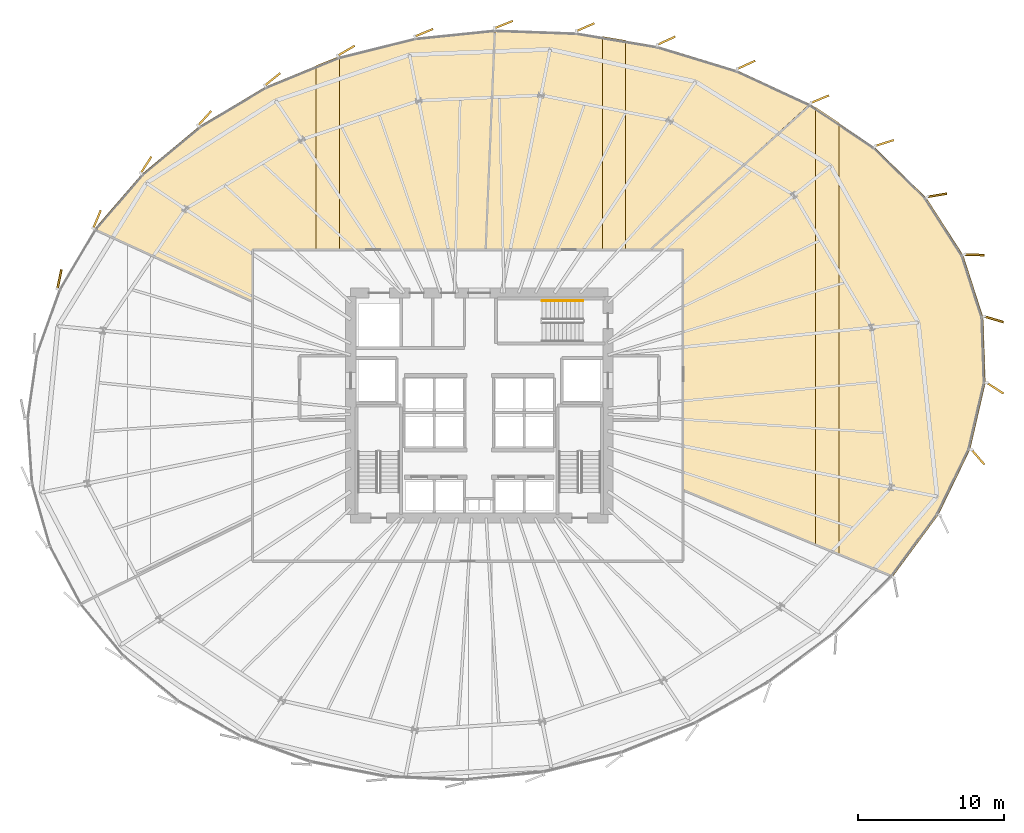
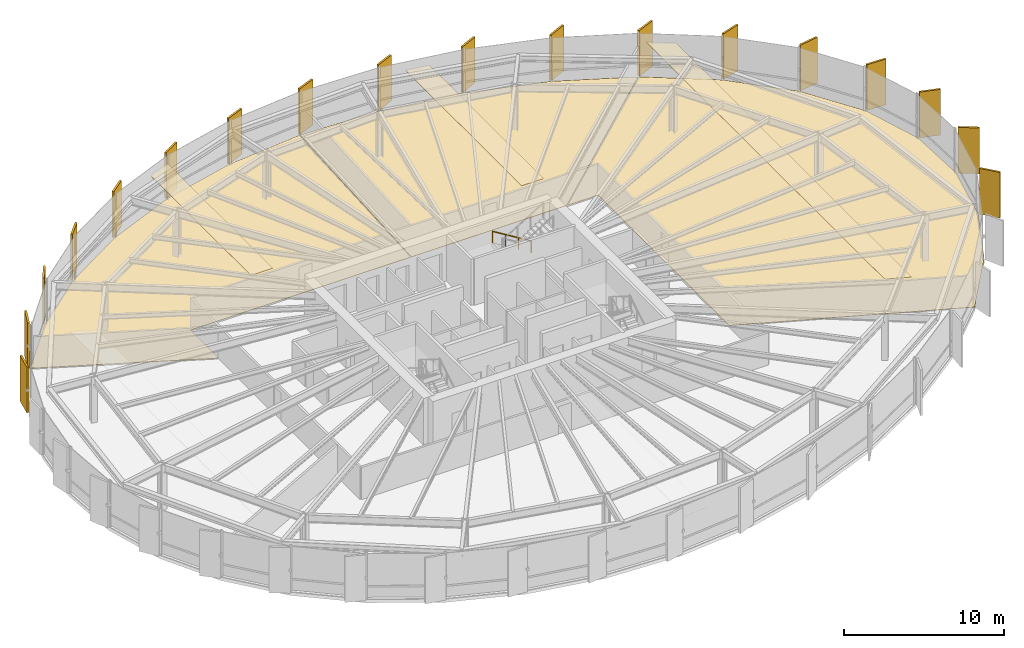
# One storey, part 35 of 35: 24 coverings, 1 railing.
"""IFC4 building model written with IfcOpenShell, lengths in metres."""

import ifcopenshell
import ifcopenshell.guid

model = None  # the IFC model being written
_history = None  # IfcOwnerHistory: only IFC2X3 demands one
_inside = {}  # id of a spatial element -> (the spatial element, [elements in it])
_under = {}  # id of a project, library or spatial element -> (it, [spatial elements below it])
_declared = {}  # id of a project -> (the project, [libraries it declares])
_typed = {}  # id of a type object -> (the type object, [elements of that type])
_made_of = {}  # id of a material, layer set ... -> (it, [elements and type objects made of it])


def new_model(schema):
    """Start an empty IFC model of exactly this schema.

    Asked for "IFC4X3", IfcOpenShell would pick the latest addendum, in which some entities
    have other attributes; the version numbers below select the first issue.
    IFC2X3 requires an IfcOwnerHistory on every rooted entity: one is made here for all.
    """
    global model, _history
    if schema == "IFC4X3":
        model = ifcopenshell.file(schema_version=(4, 3, 0, 0))
    else:
        model = ifcopenshell.file(schema=schema)
    _inside.clear()
    _under.clear()
    _declared.clear()
    _typed.clear()
    _made_of.clear()
    _history = None
    if model.schema == "IFC2X3":
        org = make("IfcOrganization", Name="unknown")
        user = make(
            "IfcPersonAndOrganization",
            ThePerson=make("IfcPerson", FamilyName="unknown"),
            TheOrganization=org,
        )
        app = make(
            "IfcApplication",
            ApplicationDeveloper=org,
            Version="unknown",
            ApplicationFullName="unknown",
            ApplicationIdentifier="unknown",
        )
        _history = make(
            "IfcOwnerHistory",
            OwningUser=user,
            OwningApplication=app,
            ChangeAction="ADDED",
            CreationDate=0,
        )
    return model


def make(cls, **values):
    """One entity of the class cls with the attributes given. An attribute that is None is left unset."""
    return model.create_entity(
        cls, **{name: value for name, value in values.items() if value is not None}
    )


def rooted(cls, **values):
    """An entity with a GlobalId (a new one), such as an element, a storey or a relation."""
    return make(cls, GlobalId=ifcopenshell.guid.new(), OwnerHistory=_history, **values)


def si_unit(unit_type, name, prefix=None):
    """IfcSIUnit, for example si_unit("LENGTHUNIT", "METRE", prefix="MILLI")."""
    return make("IfcSIUnit", UnitType=unit_type, Prefix=prefix, Name=name)


def assignment(units):
    """IfcUnitAssignment: the units of a project."""
    return None if units is None else make("IfcUnitAssignment", Units=units)


def point(xyz):
    """IfcCartesianPoint."""
    return None if xyz is None else make("IfcCartesianPoint", Coordinates=xyz)


def direction(xyz):
    """IfcDirection."""
    return None if xyz is None else make("IfcDirection", DirectionRatios=xyz)


def frame(location, z_axis=None, x_axis=None):
    """IfcAxis2Placement3D, a coordinate frame: its origin and axes. An axis left out is left unset."""
    return make(
        "IfcAxis2Placement3D",
        Location=point(location),
        Axis=direction(z_axis),
        RefDirection=direction(x_axis),
    )


def frame_2d(location, x_axis=None):
    """IfcAxis2Placement2D, a coordinate frame in the plane: its origin and x axis."""
    return make(
        "IfcAxis2Placement2D", Location=point(location), RefDirection=direction(x_axis)
    )


def origin():
    """The frame at (0, 0, 0) with its axes left unset."""
    return frame((0.0, 0.0, 0.0))


def origin_2d():
    """The frame at (0, 0) in the plane with its x axis left unset."""
    return frame_2d((0.0, 0.0))


def place(relative_to, where):
    """IfcLocalPlacement: puts the frame where relative to a parent placement (None: the world)."""
    return make(
        "IfcLocalPlacement", PlacementRelTo=relative_to, RelativePlacement=where
    )


def context(
    kind, dimensions, precision=None, world=None, true_north=None, identifier=None
):
    """IfcGeometricRepresentationContext, for example the 3D "Model" context."""
    return make(
        "IfcGeometricRepresentationContext",
        ContextIdentifier=identifier,
        ContextType=kind,
        CoordinateSpaceDimension=dimensions,
        Precision=precision,
        WorldCoordinateSystem=world,
        TrueNorth=true_north,
    )


def subcontext(parent, identifier, kind, view, scale=None):
    """IfcGeometricRepresentationSubContext, for example "Body" below "Model"."""
    return make(
        "IfcGeometricRepresentationSubContext",
        ContextIdentifier=identifier,
        ContextType=kind,
        ParentContext=parent,
        TargetScale=scale,
        TargetView=view,
    )


def project(units=None, contexts=None):
    """IfcProject with its units and contexts."""
    return rooted(
        "IfcProject",
        Name="project",
        RepresentationContexts=contexts,
        UnitsInContext=assignment(units),
    )


def spatial(cls, under=None, at=None, **own):
    """A site, building, storey or space (cls), placed at a placement, below another one or the project."""
    s = rooted(cls, ObjectPlacement=at, **own)
    if under is not None:
        _under.setdefault(under.id(), (under, []))[1].append(s)
    return s


def polyline(points):
    """IfcPolyline through the points."""
    return make("IfcPolyline", Points=[point(p) for p in points])


def profile(cls, at=None, kind="AREA", **sizes):
    """A parametric profile (cls). Its sizes go by their IFC names, for example OverallWidth=200.0."""
    return make(cls, ProfileType=kind, Position=at, **sizes)


def rectangle(**sizes):
    """IfcRectangleProfileDef."""
    return profile("IfcRectangleProfileDef", **sizes)


def circle(**sizes):
    """IfcCircleProfileDef."""
    return profile("IfcCircleProfileDef", **sizes)


def outline(outer, holes=None, kind="AREA"):
    """IfcArbitraryClosedProfileDef: a profile drawn as a closed curve; with holes, ...WithVoids."""
    if holes is None:
        return make("IfcArbitraryClosedProfileDef", ProfileType=kind, OuterCurve=outer)
    return make(
        "IfcArbitraryProfileDefWithVoids",
        ProfileType=kind,
        OuterCurve=outer,
        InnerCurves=holes,
    )


def extrude(swept, where, along, depth):
    """IfcExtrudedAreaSolid: the profile swept, set in the frame where, extruded along a direction by depth."""
    return make(
        "IfcExtrudedAreaSolid",
        SweptArea=swept,
        Position=where,
        ExtrudedDirection=direction(along),
        Depth=depth,
    )


def shape(context_of_items, identifier, shape_type, items):
    """IfcShapeRepresentation: the items that make up one representation, for example the "Body"."""
    return make(
        "IfcShapeRepresentation",
        ContextOfItems=context_of_items,
        RepresentationIdentifier=identifier,
        RepresentationType=shape_type,
        Items=items,
    )


def source(mapping_origin, context_of_items, identifier, shape_type, items):
    """IfcRepresentationMap: a shape defined once, which mapped items show again and again."""
    return make(
        "IfcRepresentationMap",
        MappingOrigin=mapping_origin,
        MappedRepresentation=shape(context_of_items, identifier, shape_type, items),
    )


def transform(
    local_origin,
    x_axis=None,
    y_axis=None,
    z_axis=None,
    scale=None,
    scale2=None,
    scale3=None,
    uniform=True,
):
    """IfcCartesianTransformationOperator3D, or its non-uniform kind. x_axis, y_axis, z_axis: its Axis1, 2, 3."""
    if uniform:
        return make(
            "IfcCartesianTransformationOperator3D",
            Axis1=direction(x_axis),
            Axis2=direction(y_axis),
            LocalOrigin=point(local_origin),
            Scale=scale,
            Axis3=direction(z_axis),
        )
    return make(
        "IfcCartesianTransformationOperator3DnonUniform",
        Axis1=direction(x_axis),
        Axis2=direction(y_axis),
        LocalOrigin=point(local_origin),
        Scale=scale,
        Axis3=direction(z_axis),
        Scale2=scale2,
        Scale3=scale3,
    )


def mapped(mapping_source, mapping_target):
    """IfcMappedItem: shows the shape of a source again, moved by a transform."""
    return make(
        "IfcMappedItem", MappingSource=mapping_source, MappingTarget=mapping_target
    )


def material(Name=None, Category=None):
    """IfcMaterial."""
    return make("IfcMaterial", Name=Name, Category=Category)


def layer(
    of_material, thickness, ventilated=None, Name=None, Category=None, Priority=None
):
    """IfcMaterialLayer: one layer of a wall or slab, of a material (None: an air gap)."""
    return make(
        "IfcMaterialLayer",
        Material=of_material,
        LayerThickness=thickness,
        IsVentilated=ventilated,
        Name=Name,
        Category=Category,
        Priority=Priority,
    )


def layer_set(layers, Name=None):
    """IfcMaterialLayerSet."""
    return make("IfcMaterialLayerSet", MaterialLayers=layers, LayerSetName=Name)


def made_of(thing, what):
    """Note that an element or type object is made of a material, layer set ...; save() writes the relation."""
    if what is not None:
        _made_of.setdefault(what.id(), (what, []))[1].append(thing)
    return thing


def type_object(cls, material=None, **own):
    """A type object (cls), such as IfcWallType, which elements share."""
    return made_of(rooted(cls, **own), material)


def element(
    cls,
    number,
    at=None,
    inside=None,
    cuts=None,
    type_object=None,
    material=None,
    context=None,
    identifier="Body",
    shape_type=None,
    held_by="IfcProductDefinitionShape",
    body=None,
    shapes=None,
    **own,
):
    """One element of the class cls, such as IfcWall. Its Tag is "e" and its number.

    at: its placement. inside: the storey or other place that contains it. cuts: it is an
    opening in that element (IfcRelVoidsElement). A single representation is given by context,
    identifier, shape_type and body (its items); several are given by shapes. held_by: the class
    of the entity that holds the representations. save() writes the other relations.
    """
    e = rooted(cls, Tag="e%d" % number, ObjectPlacement=at, **own)
    if body is not None:
        shapes = [shape(context, identifier, shape_type, body)]
    if shapes is not None:
        e.Representation = make(held_by, Representations=shapes)
    if inside is not None:
        _inside.setdefault(inside.id(), (inside, []))[1].append(e)
    if cuts is not None:
        rooted(
            "IfcRelVoidsElement", RelatingBuildingElement=cuts, RelatedOpeningElement=e
        )
    if type_object is not None:
        _typed.setdefault(type_object.id(), (type_object, []))[1].append(e)
    return made_of(e, material)


def aggregate(whole, parts):
    """IfcRelAggregates: a whole, such as a stair, and the parts it consists of."""
    return rooted("IfcRelAggregates", RelatingObject=whole, RelatedObjects=parts)


def save(model, path):
    """Write the relations noted so far, then the file.

    IfcRelAggregates (storeys below a building ...), IfcRelContainedInSpatialStructure (elements
    in a storey), IfcRelDefinesByType, IfcRelAssociatesMaterial and IfcRelDeclares: one each for
    every whole, place, type object, material and project.
    """
    for whole, parts in _under.values():
        aggregate(whole, parts)
    for where, things in _inside.values():
        rooted(
            "IfcRelContainedInSpatialStructure",
            RelatedElements=things,
            RelatingStructure=where,
        )
    for kind, things in _typed.values():
        rooted("IfcRelDefinesByType", RelatedObjects=things, RelatingType=kind)
    for what, things in _made_of.values():
        rooted("IfcRelAssociatesMaterial", RelatedObjects=things, RelatingMaterial=what)
    for by, libraries in _declared.values():
        rooted("IfcRelDeclares", RelatingContext=by, RelatedDefinitions=libraries)
    model.write(path)


model = new_model("IFC4")

# Units and contexts
model_context = context("Model", 3, precision=1e-05, world=origin(), true_north=direction((0.0, 1.0)))
body_context = subcontext(model_context, "Body", "Model", "MODEL_VIEW")
ifc_project = project(units=[si_unit("LENGTHUNIT", "METRE"), si_unit("AREAUNIT", "SQUARE_METRE"), si_unit("VOLUMEUNIT", "CUBIC_METRE"), si_unit("PLANEANGLEUNIT", "RADIAN"), si_unit("MASSUNIT", "GRAM", prefix="KILO"), si_unit("THERMODYNAMICTEMPERATUREUNIT", "KELVIN")], contexts=[model_context])

# Site, building, storey
site_placement = place(None, origin())
site = spatial("IfcSite", under=ifc_project, at=site_placement, CompositionType="ELEMENT")
building_placement = place(site_placement, origin())
building = spatial("IfcBuilding", under=site, at=building_placement, Name="Kethvar Cultural Tower", CompositionType="ELEMENT")
storey_placement = place(building_placement, frame((0.0, 0.0, 71.39990234375)))
storey = spatial("IfcBuildingStorey", under=building, at=storey_placement, Name="L17", CompositionType="ELEMENT", Elevation=71.39990234375)

# Coverings
ifc_material_1 = material(Name="Acoustic Mineral Fibre Ceiling")
ifc_layer_1 = layer(ifc_material_1, 0.0400390625, Name="Acoustic Mineral Fibre Ceiling")
ifc_layer_set_1 = layer_set([ifc_layer_1], Name="Acoustic Mineral Fibre Ceiling (40 mm)")
covering_type_1 = type_object("IfcCoveringType", Name="CV-ACOUSTIC-CEIL", PredefinedType="CEILING", material=ifc_layer_set_1)
covering_1_placement = place(storey_placement, frame((0.0, 0.0, 2.670166015625)))
element("IfcCovering", 1, at=covering_1_placement, inside=storey, type_object=covering_type_1, Name="L17 Room 02 Acoustic Ceiling Panel", PredefinedType="CEILING", context=body_context, shape_type="SweptSolid", body=[
    extrude(outline(polyline([(69.8193359375, 18.23095703125), (69.8193359375, 48.20166015625), (71.409423828125, 47.1396484375), (71.409423828125, 17.571533203125), (69.8193359375, 18.23095703125)])), origin(), (0.0, 0.0, 1.0), 0.0400390625),
])
covering_2_placement = place(storey_placement, frame((0.0, 0.0, 2.670166015625)))
element("IfcCovering", 2, at=covering_2_placement, inside=storey, type_object=covering_type_1, Name="L17 Room 03 Acoustic Ceiling Panel", PredefinedType="CEILING", context=body_context, shape_type="SweptSolid", body=[
    extrude(outline(polyline([(56.806884765625, 52.7880859375), (56.806884765625, 38.43994140625), (55.216796875, 38.43994140625), (55.216796875, 53.0546875), (56.806884765625, 52.7880859375)])), origin(), (0.0, 0.0, 1.0), 0.0400390625),
])
covering_3_placement = place(storey_placement, frame((0.0, 0.0, 2.670166015625)))
element("IfcCovering", 3, at=covering_3_placement, inside=storey, type_object=covering_type_1, Name="L17 Room 04 Acoustic Ceiling Panel", PredefinedType="CEILING", context=body_context, shape_type="SweptSolid", body=[
    extrude(outline(polyline([(35.631103515625, 51.0625), (37.22119140625, 51.700439453125), (37.22119140625, 38.43994140625), (35.631103515625, 38.43994140625), (35.631103515625, 51.0625)])), origin(), (0.0, 0.0, 1.0), 0.0400390625),
])
ifc_material_2 = material(Name="Honed Warm Limestone", Category="masonry")
ifc_layer_2 = layer(ifc_material_2, 0.030029296875, Name="Honed Warm Limestone", Category="masonry")
ifc_layer_set_2 = layer_set([ifc_layer_2], Name="Honed Warm Limestone (30 mm)")
covering_type_2 = type_object("IfcCoveringType", Name="CV-STONE-FLOOR", PredefinedType="FLOORING", material=ifc_layer_set_2)
covering_4_placement = place(storey_placement, origin())
element("IfcCovering", 4, at=covering_4_placement, inside=storey, type_object=covering_type_2, Name="L17 Room 02 Floor Finish", PredefinedType="FLOORING", context=body_context, shape_type="SweptSolid", body=[
    extrude(outline(polyline([(80.385498046875, 24.7998046875), (78.2197265625, 20.3271484375), (75.088134765625, 16.089111328125), (60.77001953125, 22.027587890625), (60.77001953125, 38.4619140625), (58.555908203125, 38.47998046875), (69.448974609375, 48.40087890625), (73.830810546875, 45.47412109375), (77.383544921875, 41.99951171875), (79.909912109375, 38.07763671875), (81.280029296875, 33.817626953125), (81.43359375, 29.345703125), (80.385498046875, 24.7998046875)])), origin(), (0.0, 0.0, 1.0), 0.030029296875),
])
covering_5_placement = place(storey_placement, origin())
element("IfcCovering", 5, at=covering_5_placement, inside=storey, type_object=covering_type_2, Name="L17 Room 03 Floor Finish", PredefinedType="FLOORING", context=body_context, shape_type="SweptSolid", body=[
    extrude(outline(polyline([(53.431396484375, 53.313232421875), (59.0146484375, 52.377685546875), (64.421875, 50.72900390625), (69.411376953125, 48.4208984375), (58.49658203125, 38.47998046875), (47.257080078125, 38.47998046875), (47.87255859375, 53.5087890625), (53.431396484375, 53.313232421875)])), origin(), (0.0, 0.0, 1.0), 0.030029296875),
])
covering_6_placement = place(storey_placement, origin())
element("IfcCovering", 6, at=covering_6_placement, inside=storey, type_object=covering_type_2, Name="L17 Room 04 Floor Finish", PredefinedType="FLOORING", context=body_context, shape_type="SweptSolid", body=[
    extrude(outline(polyline([(23.71044921875, 43.62451171875), (27.6533203125, 46.904296875), (32.177978515625, 49.60400390625), (37.147216796875, 51.640869140625), (42.41015625, 52.953125), (47.83251953125, 53.50732421875), (47.21728515625, 38.47998046875), (31.2861328125, 38.4794921875), (31.27001953125, 34.939697265625), (20.4853515625, 39.882568359375), (23.71044921875, 43.62451171875)])), origin(), (0.0, 0.0, 1.0), 0.030029296875),
])

# Railing
ifc_material_3 = material(Name="Steel S355J2", Category="steel")
railing_type = type_object("IfcRailingType", Name="RL-STAIR-HANDRAIL", PredefinedType="HANDRAIL", material=ifc_material_3)
railing_placement = place(storey_placement, frame((53.89990234375, 34.9599609375, 0.1728515625)))
element("IfcRailing", 7, at=railing_placement, inside=storey, type_object=railing_type, Name="L17 ST-03 stair handrail 1", PredefinedType="HANDRAIL", context=body_context, shape_type="SweptSolid", body=[
    extrude(circle(Radius=0.02392578125, at=origin_2d()), frame((0.0, 0.0, 0.8759765625), z_axis=(-0.851069175582, 0.0, 0.525053576669), x_axis=(0.0, -1.0, 0.0)), (0.0, 0.0, 1.0), 3.289794921875),
    extrude(circle(Radius=0.02099609375, at=origin_2d()), origin(), (0.0, 0.0, 1.0), 0.851806640625),
    extrude(circle(Radius=0.02099609375, at=origin_2d()), frame((-0.933349609375, 0.0, 0.57568359375)), (0.0, 0.0, 1.0), 0.851806640625),
    extrude(circle(Radius=0.02099609375, at=origin_2d()), frame((-1.866455078125, 0.0, 1.151611328125)), (0.0, 0.0, 1.0), 0.851806640625),
    extrude(circle(Radius=0.02099609375, at=origin_2d()), frame((-2.7998046875, 0.0, 1.727294921875)), (0.0, 0.0, 1.0), 0.851806640625),
])

# Coverings
ifc_material_4 = material(Name="Extruded Architectural Terracotta", Category="masonry")
ifc_layer_3 = layer(ifc_material_4, 0.135009765625, Name="Extruded Architectural Terracotta", Category="masonry")
ifc_layer_set_3 = layer_set([ifc_layer_3], Name="Extruded Architectural Terracotta (135 mm)")
covering_type_3 = type_object("IfcCoveringType", Name="Terracotta Facade Fin FIN-01", PredefinedType="CLADDING", material=ifc_layer_set_3)
shared_shape = source(origin(), body_context, "Body", "SweptSolid", [
    extrude(rectangle(XDim=1.35009765625, YDim=0.135009765625, at=origin_2d()), origin(), (0.0, 0.0, 1.0), 3.5),
])
for number, where, z_axis, x_axis, name in (
    (8, (82.010498046875, 33.694580078125, 0.02001953125), (0.0, 0.0, 1.0), (0.959017781309, -0.283345893093, 0.0), "L17 Vertical Terracotta Fin 1.1"),
    (9, (80.669921875, 38.1064453125, 0.02001953125), (0.0, 0.0, 1.0), (0.999420902032, -0.034027350502, 0.0), "L17 Vertical Terracotta Fin 1.2"),
    (10, (78.120849609375, 42.180908203125, 0.02001953125), (0.0, 0.0, 1.0), (0.986285601537, 0.165047605861, 0.0), "L17 Vertical Terracotta Fin 1.3"),
    (11, (74.531494140625, 45.760009765625, 0.02001953125), (0.0, 0.0, 1.0), (0.953401529495, 0.301704364497, 0.0), "L17 Vertical Terracotta Fin 1.4"),
    (12, (70.104248046875, 48.757080078125, 0.02001953125), (0.0, 0.0, 1.0), (0.92401305794, 0.382360914263, 0.0), "L17 Vertical Terracotta Fin 1.5"),
    (13, (65.06591796875, 51.10595703125, 0.02001953125), (0.0, 0.0, 1.0), (0.908799682356, 0.417232713662, 0.0), "L17 Vertical Terracotta Fin 1.6"),
    (14, (59.6044921875, 52.763916015625, 0.02001953125), (0.0, 0.0, 1.0), (0.909236109047, 0.41628079226, 0.0), "L17 Vertical Terracotta Fin 2.1"),
    (15, (54.05615234375, 53.680419921875, 0.02001953125), (0.0, 0.0, 1.0), (0.918170014691, 0.396186602653, 0.0), "L17 Vertical Terracotta Fin 2.2"),
    (16, (48.471435546875, 53.860595703125, 0.02001953125), (0.0, 0.0, 1.0), (0.927966394667, 0.372663883908, 0.0), "L17 Vertical Terracotta Fin 2.3"),
    (17, (43.012939453125, 53.3037109375, 0.02001953125), (0.0, 0.0, 1.0), (0.927118459261, 0.37476841182, 0.0), "L17 Vertical Terracotta Fin 2.4"),
    (18, (37.693603515625, 52.074462890625, 0.02001953125), (0.0, 0.0, 1.0), (0.863483594138, 0.50437692518, 0.0), "L17 Vertical Terracotta Fin 2.5"),
    (19, (32.654052734375, 50.11376953125, 0.02001953125), (0.0, 0.0, 1.0), (0.779119191464, 0.626875813454, 0.0), "L17 Vertical Terracotta Fin 2.6"),
    (20, (28.01171875, 47.455078125, 0.02001953125), (0.0, 0.0, 1.0), (0.67223760476, 0.740335466358, 0.0), "L17 Vertical Terracotta Fin 3.1"),
    (21, (24.0009765625, 44.2587890625, 0.02001953125), (0.0, 0.0, 1.0), (0.541121252127, 0.840944582298, 0.0), "L17 Vertical Terracotta Fin 3.2"),
    (22, (20.6435546875, 40.539306640625, 0.02001953125), (0.0, 0.0, 1.0), (0.38429532266, 0.923210217113, 0.0), "L17 Vertical Terracotta Fin 3.3"),
    (23, (18.072021484375, 36.43310546875, 0.02001953125), (0.0, 0.0, 1.0), (0.2032999874, 0.979116497217, 0.0), "L17 Vertical Terracotta Fin 3.4"),
    (24, (80.924072265625, 24.264404296875, 0.02001953125), (0.0, 0.0, 1.0), (0.654212968936, -0.756310380251, 0.0), "L17 Vertical Terracotta Fin 6.5"),
    (25, (82.101318359375, 28.981201171875, 0.02001953125), (0.0, 0.0, 1.0), (0.840850126015, -0.541268016402, 0.0), "L17 Vertical Terracotta Fin 6.6"),
):
    element("IfcCovering", number, at=place(storey_placement, frame(where, z_axis=z_axis, x_axis=x_axis)), inside=storey, type_object=covering_type_3, Name=name, PredefinedType="CLADDING", context=body_context, shape_type="MappedRepresentation", body=[
        mapped(shared_shape, transform((0.0, 0.0, 0.0), scale=1.0)),
    ])

save(model, "model.ifc")
